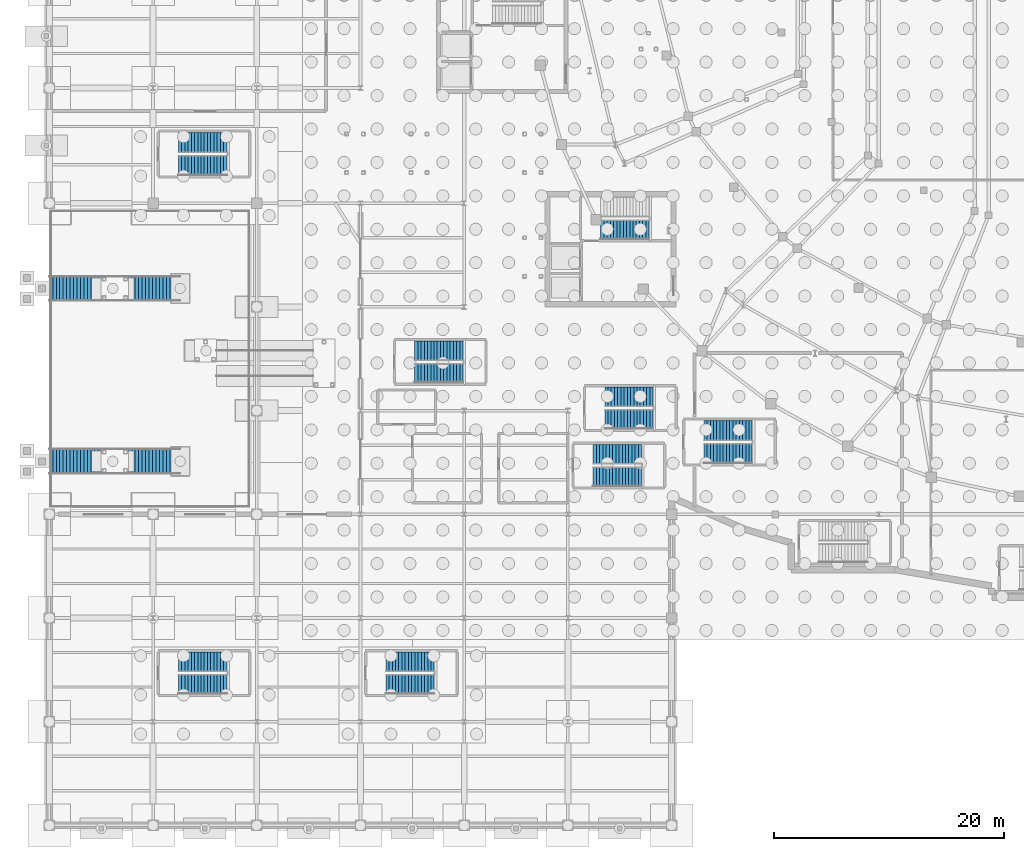
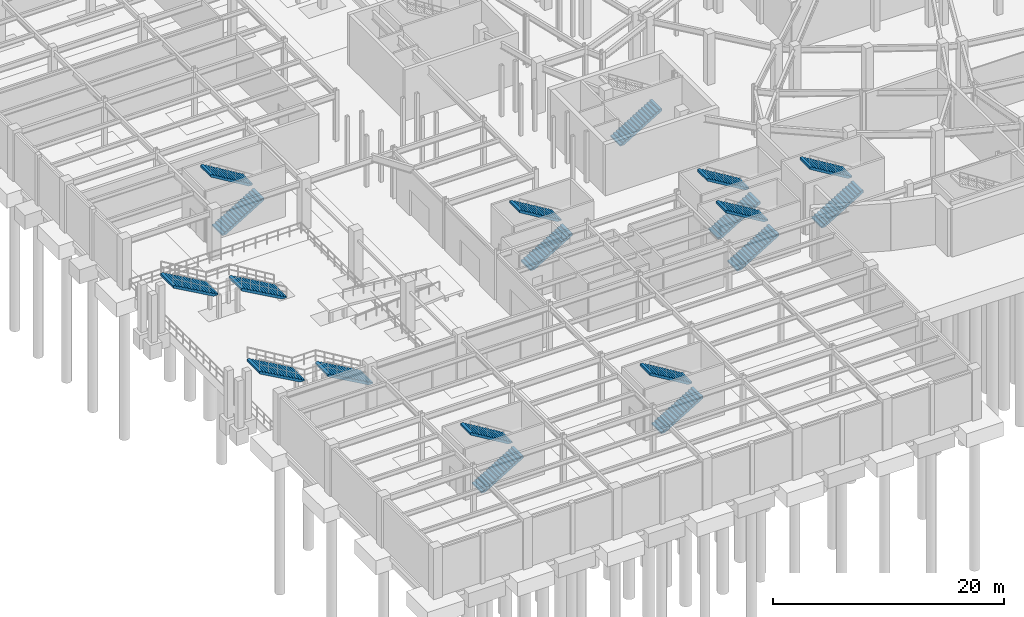
# One storey, part 49 of 56: 19 stair flights, 10 elements without a shape of their own.
"""IFC4 building model written with IfcOpenShell, lengths in metres."""

from ifc_helpers import new_model, si_unit, direction, frame, origin, place, context, subcontext, project, spatial, polyline, outline, extrude, material, type_object, element, aggregate, save


model = new_model("IFC4")

# Units and contexts
model_context = context("Model", 3, precision=1e-05, world=origin(), true_north=direction((0.0, 1.0)))
body_context = subcontext(model_context, "Body", "Model", "MODEL_VIEW")
ifc_project = project(units=[si_unit("LENGTHUNIT", "METRE"), si_unit("AREAUNIT", "SQUARE_METRE"), si_unit("VOLUMEUNIT", "CUBIC_METRE"), si_unit("PLANEANGLEUNIT", "RADIAN"), si_unit("MASSUNIT", "GRAM", prefix="KILO")], contexts=[model_context])

# Site, building, storey
site_placement = place(None, origin())
site = spatial("IfcSite", under=ifc_project, at=site_placement, CompositionType="ELEMENT")
building_placement = place(site_placement, origin())
building = spatial("IfcBuilding", under=site, at=building_placement, Name="Glasvene Arena", CompositionType="ELEMENT")
storey_placement = place(building_placement, frame((0.0, 0.0, -5.39990234375)))
storey = spatial("IfcBuildingStorey", under=building, at=storey_placement, Name="B1", CompositionType="ELEMENT", Elevation=-5.39990234375)

# Stair, stair flight
ifc_material_1 = material(Name="Concrete C40/50", Category="concrete")
stair_type_1 = type_object("IfcStairType", Name="ST-HT-540-170", PredefinedType="HALF_TURN_STAIR", material=ifc_material_1)
stair_1_placement = place(storey_placement, origin())
stair_1 = element("IfcStair", 1, at=stair_1_placement, inside=storey, type_object=stair_type_1, Name="Protected escape stair ST-03 (B1 to L00)", PredefinedType="HALF_TURN_STAIR")
stair_flight_type_1 = type_object("IfcStairFlightType", Name="SF-HT-540-170", PredefinedType="STRAIGHT", material=ifc_material_1)
stair_flight_1_placement = place(storey_placement, frame((47.85009765625, 51.699951171875, 0.0), z_axis=(0.0, 0.0, 1.0), x_axis=(1.0, 0.0, 0.0)))
stair_flight_1 = element("IfcStairFlight", 2, at=stair_flight_1_placement, type_object=stair_flight_type_1, Name="Protected escape stair ST-03 (B1 to L00) flight 1", NumberOfRisers=16, NumberOfTreads=15, PredefinedType="STRAIGHT", RiserHeight=0.16875, TreadLength=0.28, context=body_context, shape_type="SweptSolid", body=[
    extrude(outline(polyline([(0.0, 0.0), (0.0, 0.168701171875), (0.280029296875, 0.168701171875), (0.280029296875, 0.33740234375), (0.56005859375, 0.33740234375), (0.56005859375, 0.50634765625), (0.840087890625, 0.50634765625), (0.840087890625, 0.675048828125), (1.1201171875, 0.675048828125), (1.1201171875, 0.84375), (1.39990234375, 0.84375), (1.39990234375, 1.012451171875), (1.679931640625, 1.012451171875), (1.679931640625, 1.18115234375), (1.9599609375, 1.18115234375), (1.9599609375, 1.35009765625), (2.239990234375, 1.35009765625), (2.239990234375, 1.518798828125), (2.52001953125, 1.518798828125), (2.52001953125, 1.6875), (2.800048828125, 1.6875), (2.800048828125, 1.856201171875), (3.080078125, 1.856201171875), (3.080078125, 2.02490234375), (3.360107421875, 2.02490234375), (3.360107421875, 2.19384765625), (3.639892578125, 2.19384765625), (3.639892578125, 2.362548828125), (3.919921875, 2.362548828125), (3.919921875, 2.53125), (4.199951171875, 2.53125), (4.199951171875, 2.699951171875), (4.199951171875, 2.2978515625), (0.387451171875, 0.0), (0.0, 0.0)])), frame((0.0, 0.85009765625, 0.0), z_axis=(0.0, -1.0, 0.0), x_axis=(1.0, 0.0, 0.0)), (0.0, 0.0, 1.0), 1.699951171875),
])
aggregate(stair_1, [stair_flight_1])

# Stair, stair flights
stair_2_placement = place(storey_placement, origin())
stair_2 = element("IfcStair", 3, at=stair_2_placement, inside=storey, type_object=stair_type_1, Name="Protected escape stair ST-05 (B1 to L00)", PredefinedType="HALF_TURN_STAIR")
stair_flight_2_placement = place(storey_placement, frame((48.199951171875, 35.25, 0.0), z_axis=(0.0, 0.0, 1.0), x_axis=(1.0, 0.0, 0.0)))
stair_flight_2 = element("IfcStairFlight", 4, at=stair_flight_2_placement, type_object=stair_flight_type_1, Name="Protected escape stair ST-05 (B1 to L00) flight 1", NumberOfRisers=16, NumberOfTreads=15, PredefinedType="STRAIGHT", RiserHeight=0.16875, TreadLength=0.28, context=body_context, shape_type="SweptSolid", body=[
    extrude(outline(polyline([(0.0, 0.0), (0.0, 0.168701171875), (0.280029296875, 0.168701171875), (0.280029296875, 0.33740234375), (0.56005859375, 0.33740234375), (0.56005859375, 0.50634765625), (0.840087890625, 0.50634765625), (0.840087890625, 0.675048828125), (1.1201171875, 0.675048828125), (1.1201171875, 0.84375), (1.39990234375, 0.84375), (1.39990234375, 1.012451171875), (1.679931640625, 1.012451171875), (1.679931640625, 1.18115234375), (1.9599609375, 1.18115234375), (1.9599609375, 1.35009765625), (2.239990234375, 1.35009765625), (2.239990234375, 1.518798828125), (2.52001953125, 1.518798828125), (2.52001953125, 1.6875), (2.800048828125, 1.6875), (2.800048828125, 1.856201171875), (3.080078125, 1.856201171875), (3.080078125, 2.02490234375), (3.360107421875, 2.02490234375), (3.360107421875, 2.19384765625), (3.639892578125, 2.19384765625), (3.639892578125, 2.362548828125), (3.919921875, 2.362548828125), (3.919921875, 2.53125), (4.199951171875, 2.53125), (4.199951171875, 2.699951171875), (4.199951171875, 2.2978515625), (0.387451171875, 0.0), (0.0, 0.0)])), frame((0.0, 0.85009765625, 0.0), z_axis=(0.0, -1.0, 0.0), x_axis=(1.0, 0.0, 0.0)), (0.0, 0.0, 1.0), 1.699951171875),
])
stair_flight_3_placement = place(storey_placement, frame((52.39990234375, 37.199951171875, 2.699951171875), z_axis=(0.0, 0.0, 1.0), x_axis=(-1.0, 0.0, 0.0)))
stair_flight_3 = element("IfcStairFlight", 5, at=stair_flight_3_placement, type_object=stair_flight_type_1, Name="Protected escape stair ST-05 (B1 to L00) flight 2", NumberOfRisers=16, NumberOfTreads=15, PredefinedType="STRAIGHT", RiserHeight=0.16875, TreadLength=0.28, context=body_context, shape_type="SweptSolid", body=[
    extrude(outline(polyline([(0.0, 0.0), (0.0, 0.168701171875), (0.280029296875, 0.168701171875), (0.280029296875, 0.33740234375), (0.56005859375, 0.33740234375), (0.56005859375, 0.50634765625), (0.840087890625, 0.50634765625), (0.840087890625, 0.675048828125), (1.1201171875, 0.675048828125), (1.1201171875, 0.84375), (1.39990234375, 0.84375), (1.39990234375, 1.012451171875), (1.679931640625, 1.012451171875), (1.679931640625, 1.18115234375), (1.9599609375, 1.18115234375), (1.9599609375, 1.35009765625), (2.239990234375, 1.35009765625), (2.239990234375, 1.518798828125), (2.52001953125, 1.518798828125), (2.52001953125, 1.6875), (2.800048828125, 1.6875), (2.800048828125, 1.856201171875), (3.080078125, 1.856201171875), (3.080078125, 2.02490234375), (3.360107421875, 2.02490234375), (3.360107421875, 2.19384765625), (3.639892578125, 2.19384765625), (3.639892578125, 2.362548828125), (3.919921875, 2.362548828125), (3.919921875, 2.53125), (4.199951171875, 2.53125), (4.199951171875, 2.699951171875), (4.199951171875, 2.2978515625), (0.387451171875, 0.0), (0.0, 0.0)])), frame((0.0, 0.85009765625, 0.0), z_axis=(0.0, -1.0, 0.0), x_axis=(1.0, 0.0, 0.0)), (0.0, 0.0, 1.0), 1.699951171875),
])
aggregate(stair_2, [stair_flight_2, stair_flight_3])

stair_3_placement = place(storey_placement, origin())
stair_3 = element("IfcStair", 6, at=stair_3_placement, inside=storey, type_object=stair_type_1, Name="Protected escape stair ST-15 (B1 to L00)", PredefinedType="HALF_TURN_STAIR")
stair_flight_4_placement = place(storey_placement, frame((31.699951171875, 39.25, 0.0), z_axis=(0.0, 0.0, 1.0), x_axis=(1.0, 0.0, 0.0)))
stair_flight_4 = element("IfcStairFlight", 7, at=stair_flight_4_placement, type_object=stair_flight_type_1, Name="Protected escape stair ST-15 (B1 to L00) flight 1", NumberOfRisers=16, NumberOfTreads=15, PredefinedType="STRAIGHT", RiserHeight=0.16875, TreadLength=0.28, context=body_context, shape_type="SweptSolid", body=[
    extrude(outline(polyline([(0.0, 0.0), (0.0, 0.168701171875), (0.280029296875, 0.168701171875), (0.280029296875, 0.33740234375), (0.56005859375, 0.33740234375), (0.56005859375, 0.50634765625), (0.840087890625, 0.50634765625), (0.840087890625, 0.675048828125), (1.1201171875, 0.675048828125), (1.1201171875, 0.84375), (1.39990234375, 0.84375), (1.39990234375, 1.012451171875), (1.679931640625, 1.012451171875), (1.679931640625, 1.18115234375), (1.9599609375, 1.18115234375), (1.9599609375, 1.35009765625), (2.239990234375, 1.35009765625), (2.239990234375, 1.518798828125), (2.52001953125, 1.518798828125), (2.52001953125, 1.6875), (2.800048828125, 1.6875), (2.800048828125, 1.856201171875), (3.080078125, 1.856201171875), (3.080078125, 2.02490234375), (3.360107421875, 2.02490234375), (3.360107421875, 2.19384765625), (3.639892578125, 2.19384765625), (3.639892578125, 2.362548828125), (3.919921875, 2.362548828125), (3.919921875, 2.53125), (4.199951171875, 2.53125), (4.199951171875, 2.699951171875), (4.199951171875, 2.2978515625), (0.387451171875, 0.0), (0.0, 0.0)])), frame((0.0, 0.85009765625, 0.0), z_axis=(0.0, -1.0, 0.0), x_axis=(1.0, 0.0, 0.0)), (0.0, 0.0, 1.0), 1.699951171875),
])
stair_flight_5_placement = place(storey_placement, frame((35.89990234375, 41.199951171875, 2.699951171875), z_axis=(0.0, 0.0, 1.0), x_axis=(-1.0, 0.0, 0.0)))
stair_flight_5 = element("IfcStairFlight", 8, at=stair_flight_5_placement, type_object=stair_flight_type_1, Name="Protected escape stair ST-15 (B1 to L00) flight 2", NumberOfRisers=16, NumberOfTreads=15, PredefinedType="STRAIGHT", RiserHeight=0.16875, TreadLength=0.28, context=body_context, shape_type="SweptSolid", body=[
    extrude(outline(polyline([(0.0, 0.0), (0.0, 0.168701171875), (0.280029296875, 0.168701171875), (0.280029296875, 0.33740234375), (0.56005859375, 0.33740234375), (0.56005859375, 0.50634765625), (0.840087890625, 0.50634765625), (0.840087890625, 0.675048828125), (1.1201171875, 0.675048828125), (1.1201171875, 0.84375), (1.39990234375, 0.84375), (1.39990234375, 1.012451171875), (1.679931640625, 1.012451171875), (1.679931640625, 1.18115234375), (1.9599609375, 1.18115234375), (1.9599609375, 1.35009765625), (2.239990234375, 1.35009765625), (2.239990234375, 1.518798828125), (2.52001953125, 1.518798828125), (2.52001953125, 1.6875), (2.800048828125, 1.6875), (2.800048828125, 1.856201171875), (3.080078125, 1.856201171875), (3.080078125, 2.02490234375), (3.360107421875, 2.02490234375), (3.360107421875, 2.19384765625), (3.639892578125, 2.19384765625), (3.639892578125, 2.362548828125), (3.919921875, 2.362548828125), (3.919921875, 2.53125), (4.199951171875, 2.53125), (4.199951171875, 2.699951171875), (4.199951171875, 2.2978515625), (0.387451171875, 0.0), (0.0, 0.0)])), frame((0.0, 0.85009765625, 0.0), z_axis=(0.0, -1.0, 0.0), x_axis=(1.0, 0.0, 0.0)), (0.0, 0.0, 1.0), 1.699951171875),
])
aggregate(stair_3, [stair_flight_4, stair_flight_5])

stair_4_placement = place(storey_placement, origin())
stair_4 = element("IfcStair", 9, at=stair_4_placement, inside=storey, type_object=stair_type_1, Name="Protected escape stair ST-16 (B1 to L00)", PredefinedType="HALF_TURN_STAIR")
stair_flight_6_placement = place(storey_placement, frame((47.199951171875, 30.25, 0.0), z_axis=(0.0, 0.0, 1.0), x_axis=(1.0, 0.0, 0.0)))
stair_flight_6 = element("IfcStairFlight", 10, at=stair_flight_6_placement, type_object=stair_flight_type_1, Name="Protected escape stair ST-16 (B1 to L00) flight 1", NumberOfRisers=16, NumberOfTreads=15, PredefinedType="STRAIGHT", RiserHeight=0.16875, TreadLength=0.28, context=body_context, shape_type="SweptSolid", body=[
    extrude(outline(polyline([(0.0, 0.0), (0.0, 0.168701171875), (0.280029296875, 0.168701171875), (0.280029296875, 0.33740234375), (0.56005859375, 0.33740234375), (0.56005859375, 0.50634765625), (0.840087890625, 0.50634765625), (0.840087890625, 0.675048828125), (1.1201171875, 0.675048828125), (1.1201171875, 0.84375), (1.39990234375, 0.84375), (1.39990234375, 1.012451171875), (1.679931640625, 1.012451171875), (1.679931640625, 1.18115234375), (1.9599609375, 1.18115234375), (1.9599609375, 1.35009765625), (2.239990234375, 1.35009765625), (2.239990234375, 1.518798828125), (2.52001953125, 1.518798828125), (2.52001953125, 1.6875), (2.800048828125, 1.6875), (2.800048828125, 1.856201171875), (3.080078125, 1.856201171875), (3.080078125, 2.02490234375), (3.360107421875, 2.02490234375), (3.360107421875, 2.19384765625), (3.639892578125, 2.19384765625), (3.639892578125, 2.362548828125), (3.919921875, 2.362548828125), (3.919921875, 2.53125), (4.199951171875, 2.53125), (4.199951171875, 2.699951171875), (4.199951171875, 2.2978515625), (0.387451171875, 0.0), (0.0, 0.0)])), frame((0.0, 0.85009765625, 0.0), z_axis=(0.0, -1.0, 0.0), x_axis=(1.0, 0.0, 0.0)), (0.0, 0.0, 1.0), 1.699951171875),
])
stair_flight_7_placement = place(storey_placement, frame((51.39990234375, 32.199951171875, 2.699951171875), z_axis=(0.0, 0.0, 1.0), x_axis=(-1.0, 0.0, 0.0)))
stair_flight_7 = element("IfcStairFlight", 11, at=stair_flight_7_placement, type_object=stair_flight_type_1, Name="Protected escape stair ST-16 (B1 to L00) flight 2", NumberOfRisers=16, NumberOfTreads=15, PredefinedType="STRAIGHT", RiserHeight=0.16875, TreadLength=0.28, context=body_context, shape_type="SweptSolid", body=[
    extrude(outline(polyline([(0.0, 0.0), (0.0, 0.168701171875), (0.280029296875, 0.168701171875), (0.280029296875, 0.33740234375), (0.56005859375, 0.33740234375), (0.56005859375, 0.50634765625), (0.840087890625, 0.50634765625), (0.840087890625, 0.675048828125), (1.1201171875, 0.675048828125), (1.1201171875, 0.84375), (1.39990234375, 0.84375), (1.39990234375, 1.012451171875), (1.679931640625, 1.012451171875), (1.679931640625, 1.18115234375), (1.9599609375, 1.18115234375), (1.9599609375, 1.35009765625), (2.239990234375, 1.35009765625), (2.239990234375, 1.518798828125), (2.52001953125, 1.518798828125), (2.52001953125, 1.6875), (2.800048828125, 1.6875), (2.800048828125, 1.856201171875), (3.080078125, 1.856201171875), (3.080078125, 2.02490234375), (3.360107421875, 2.02490234375), (3.360107421875, 2.19384765625), (3.639892578125, 2.19384765625), (3.639892578125, 2.362548828125), (3.919921875, 2.362548828125), (3.919921875, 2.53125), (4.199951171875, 2.53125), (4.199951171875, 2.699951171875), (4.199951171875, 2.2978515625), (0.387451171875, 0.0), (0.0, 0.0)])), frame((0.0, 0.85009765625, 0.0), z_axis=(0.0, -1.0, 0.0), x_axis=(1.0, 0.0, 0.0)), (0.0, 0.0, 1.0), 1.699951171875),
])
aggregate(stair_4, [stair_flight_6, stair_flight_7])

stair_5_placement = place(storey_placement, origin())
stair_5 = element("IfcStair", 12, at=stair_5_placement, inside=storey, type_object=stair_type_1, Name="Protected escape stair ST-B02 (B1 to L00)", PredefinedType="HALF_TURN_STAIR")
stair_flight_8_placement = place(storey_placement, frame((11.199951171875, 12.25, 0.0), z_axis=(0.0, 0.0, 1.0), x_axis=(1.0, 0.0, 0.0)))
stair_flight_8 = element("IfcStairFlight", 13, at=stair_flight_8_placement, type_object=stair_flight_type_1, Name="Protected escape stair ST-B02 (B1 to L00) flight 1", NumberOfRisers=16, NumberOfTreads=15, PredefinedType="STRAIGHT", RiserHeight=0.16875, TreadLength=0.28, context=body_context, shape_type="SweptSolid", body=[
    extrude(outline(polyline([(0.0, 0.0), (0.0, 0.168701171875), (0.280029296875, 0.168701171875), (0.280029296875, 0.33740234375), (0.56005859375, 0.33740234375), (0.56005859375, 0.50634765625), (0.840087890625, 0.50634765625), (0.840087890625, 0.675048828125), (1.1201171875, 0.675048828125), (1.1201171875, 0.84375), (1.39990234375, 0.84375), (1.39990234375, 1.012451171875), (1.679931640625, 1.012451171875), (1.679931640625, 1.18115234375), (1.9599609375, 1.18115234375), (1.9599609375, 1.35009765625), (2.239990234375, 1.35009765625), (2.239990234375, 1.518798828125), (2.52001953125, 1.518798828125), (2.52001953125, 1.6875), (2.800048828125, 1.6875), (2.800048828125, 1.856201171875), (3.080078125, 1.856201171875), (3.080078125, 2.02490234375), (3.360107421875, 2.02490234375), (3.360107421875, 2.19384765625), (3.639892578125, 2.19384765625), (3.639892578125, 2.362548828125), (3.919921875, 2.362548828125), (3.919921875, 2.53125), (4.199951171875, 2.53125), (4.199951171875, 2.699951171875), (4.199951171875, 2.2978515625), (0.387451171875, 0.0), (0.0, 0.0)])), frame((0.0, 0.85009765625, 0.0), z_axis=(0.0, -1.0, 0.0), x_axis=(1.0, 0.0, 0.0)), (0.0, 0.0, 1.0), 1.699951171875),
])
stair_flight_9_placement = place(storey_placement, frame((15.39990234375, 14.199951171875, 2.699951171875), z_axis=(0.0, 0.0, 1.0), x_axis=(-1.0, 0.0, 0.0)))
stair_flight_9 = element("IfcStairFlight", 14, at=stair_flight_9_placement, type_object=stair_flight_type_1, Name="Protected escape stair ST-B02 (B1 to L00) flight 2", NumberOfRisers=16, NumberOfTreads=15, PredefinedType="STRAIGHT", RiserHeight=0.16875, TreadLength=0.28, context=body_context, shape_type="SweptSolid", body=[
    extrude(outline(polyline([(0.0, 0.0), (0.0, 0.168701171875), (0.280029296875, 0.168701171875), (0.280029296875, 0.33740234375), (0.56005859375, 0.33740234375), (0.56005859375, 0.50634765625), (0.840087890625, 0.50634765625), (0.840087890625, 0.675048828125), (1.1201171875, 0.675048828125), (1.1201171875, 0.84375), (1.39990234375, 0.84375), (1.39990234375, 1.012451171875), (1.679931640625, 1.012451171875), (1.679931640625, 1.18115234375), (1.9599609375, 1.18115234375), (1.9599609375, 1.35009765625), (2.239990234375, 1.35009765625), (2.239990234375, 1.518798828125), (2.52001953125, 1.518798828125), (2.52001953125, 1.6875), (2.800048828125, 1.6875), (2.800048828125, 1.856201171875), (3.080078125, 1.856201171875), (3.080078125, 2.02490234375), (3.360107421875, 2.02490234375), (3.360107421875, 2.19384765625), (3.639892578125, 2.19384765625), (3.639892578125, 2.362548828125), (3.919921875, 2.362548828125), (3.919921875, 2.53125), (4.199951171875, 2.53125), (4.199951171875, 2.699951171875), (4.199951171875, 2.2978515625), (0.387451171875, 0.0), (0.0, 0.0)])), frame((0.0, 0.85009765625, 0.0), z_axis=(0.0, -1.0, 0.0), x_axis=(1.0, 0.0, 0.0)), (0.0, 0.0, 1.0), 1.699951171875),
])
aggregate(stair_5, [stair_flight_8, stair_flight_9])

stair_6_placement = place(storey_placement, origin())
stair_6 = element("IfcStair", 15, at=stair_6_placement, inside=storey, type_object=stair_type_1, Name="Protected escape stair ST-B03 (B1 to L00)", PredefinedType="HALF_TURN_STAIR")
stair_flight_10_placement = place(storey_placement, frame((29.199951171875, 12.25, 0.0), z_axis=(0.0, 0.0, 1.0), x_axis=(1.0, 0.0, 0.0)))
stair_flight_10 = element("IfcStairFlight", 16, at=stair_flight_10_placement, type_object=stair_flight_type_1, Name="Protected escape stair ST-B03 (B1 to L00) flight 1", NumberOfRisers=16, NumberOfTreads=15, PredefinedType="STRAIGHT", RiserHeight=0.16875, TreadLength=0.28, context=body_context, shape_type="SweptSolid", body=[
    extrude(outline(polyline([(0.0, 0.0), (0.0, 0.168701171875), (0.280029296875, 0.168701171875), (0.280029296875, 0.33740234375), (0.56005859375, 0.33740234375), (0.56005859375, 0.50634765625), (0.840087890625, 0.50634765625), (0.840087890625, 0.675048828125), (1.1201171875, 0.675048828125), (1.1201171875, 0.84375), (1.39990234375, 0.84375), (1.39990234375, 1.012451171875), (1.679931640625, 1.012451171875), (1.679931640625, 1.18115234375), (1.9599609375, 1.18115234375), (1.9599609375, 1.35009765625), (2.239990234375, 1.35009765625), (2.239990234375, 1.518798828125), (2.52001953125, 1.518798828125), (2.52001953125, 1.6875), (2.800048828125, 1.6875), (2.800048828125, 1.856201171875), (3.080078125, 1.856201171875), (3.080078125, 2.02490234375), (3.360107421875, 2.02490234375), (3.360107421875, 2.19384765625), (3.639892578125, 2.19384765625), (3.639892578125, 2.362548828125), (3.919921875, 2.362548828125), (3.919921875, 2.53125), (4.199951171875, 2.53125), (4.199951171875, 2.699951171875), (4.199951171875, 2.2978515625), (0.387451171875, 0.0), (0.0, 0.0)])), frame((0.0, 0.85009765625, 0.0), z_axis=(0.0, -1.0, 0.0), x_axis=(1.0, 0.0, 0.0)), (0.0, 0.0, 1.0), 1.699951171875),
])
stair_flight_11_placement = place(storey_placement, frame((33.39990234375, 14.199951171875, 2.699951171875), z_axis=(0.0, 0.0, 1.0), x_axis=(-1.0, 0.0, 0.0)))
stair_flight_11 = element("IfcStairFlight", 17, at=stair_flight_11_placement, type_object=stair_flight_type_1, Name="Protected escape stair ST-B03 (B1 to L00) flight 2", NumberOfRisers=16, NumberOfTreads=15, PredefinedType="STRAIGHT", RiserHeight=0.16875, TreadLength=0.28, context=body_context, shape_type="SweptSolid", body=[
    extrude(outline(polyline([(0.0, 0.0), (0.0, 0.168701171875), (0.280029296875, 0.168701171875), (0.280029296875, 0.33740234375), (0.56005859375, 0.33740234375), (0.56005859375, 0.50634765625), (0.840087890625, 0.50634765625), (0.840087890625, 0.675048828125), (1.1201171875, 0.675048828125), (1.1201171875, 0.84375), (1.39990234375, 0.84375), (1.39990234375, 1.012451171875), (1.679931640625, 1.012451171875), (1.679931640625, 1.18115234375), (1.9599609375, 1.18115234375), (1.9599609375, 1.35009765625), (2.239990234375, 1.35009765625), (2.239990234375, 1.518798828125), (2.52001953125, 1.518798828125), (2.52001953125, 1.6875), (2.800048828125, 1.6875), (2.800048828125, 1.856201171875), (3.080078125, 1.856201171875), (3.080078125, 2.02490234375), (3.360107421875, 2.02490234375), (3.360107421875, 2.19384765625), (3.639892578125, 2.19384765625), (3.639892578125, 2.362548828125), (3.919921875, 2.362548828125), (3.919921875, 2.53125), (4.199951171875, 2.53125), (4.199951171875, 2.699951171875), (4.199951171875, 2.2978515625), (0.387451171875, 0.0), (0.0, 0.0)])), frame((0.0, 0.85009765625, 0.0), z_axis=(0.0, -1.0, 0.0), x_axis=(1.0, 0.0, 0.0)), (0.0, 0.0, 1.0), 1.699951171875),
])
aggregate(stair_6, [stair_flight_10, stair_flight_11])

stair_type_2 = type_object("IfcStairType", Name="ST-HT-540-175", PredefinedType="HALF_TURN_STAIR", material=ifc_material_1)
stair_7_placement = place(storey_placement, origin())
stair_7 = element("IfcStair", 18, at=stair_7_placement, inside=storey, type_object=stair_type_2, Name="Protected escape stair ST-13 (B1 to L00)", PredefinedType="HALF_TURN_STAIR")
stair_flight_type_2 = type_object("IfcStairFlightType", Name="SF-HT-540-175", PredefinedType="STRAIGHT", material=ifc_material_1)
stair_flight_12_placement = place(storey_placement, frame((11.199951171875, 57.27490234375, 0.0), z_axis=(0.0, 0.0, 1.0), x_axis=(1.0, 0.0, 0.0)))
stair_flight_12 = element("IfcStairFlight", 19, at=stair_flight_12_placement, type_object=stair_flight_type_2, Name="Protected escape stair ST-13 (B1 to L00) flight 1", NumberOfRisers=16, NumberOfTreads=15, PredefinedType="STRAIGHT", RiserHeight=0.16875, TreadLength=0.28, context=body_context, shape_type="SweptSolid", body=[
    extrude(outline(polyline([(0.0, 0.0), (0.0, 0.168701171875), (0.280029296875, 0.168701171875), (0.280029296875, 0.33740234375), (0.56005859375, 0.33740234375), (0.56005859375, 0.50634765625), (0.840087890625, 0.50634765625), (0.840087890625, 0.675048828125), (1.1201171875, 0.675048828125), (1.1201171875, 0.84375), (1.39990234375, 0.84375), (1.39990234375, 1.012451171875), (1.679931640625, 1.012451171875), (1.679931640625, 1.18115234375), (1.9599609375, 1.18115234375), (1.9599609375, 1.35009765625), (2.239990234375, 1.35009765625), (2.239990234375, 1.518798828125), (2.52001953125, 1.518798828125), (2.52001953125, 1.6875), (2.800048828125, 1.6875), (2.800048828125, 1.856201171875), (3.080078125, 1.856201171875), (3.080078125, 2.02490234375), (3.360107421875, 2.02490234375), (3.360107421875, 2.19384765625), (3.639892578125, 2.19384765625), (3.639892578125, 2.362548828125), (3.919921875, 2.362548828125), (3.919921875, 2.53125), (4.199951171875, 2.53125), (4.199951171875, 2.699951171875), (4.199951171875, 2.2978515625), (0.387451171875, 0.0), (0.0, 0.0)])), frame((0.0, 0.875, 0.0), z_axis=(0.0, -1.0, 0.0), x_axis=(1.0, 0.0, 0.0)), (0.0, 0.0, 1.0), 1.75),
])
stair_flight_13_placement = place(storey_placement, frame((15.39990234375, 59.27490234375, 2.699951171875), z_axis=(0.0, 0.0, 1.0), x_axis=(-1.0, 0.0, 0.0)))
stair_flight_13 = element("IfcStairFlight", 20, at=stair_flight_13_placement, type_object=stair_flight_type_2, Name="Protected escape stair ST-13 (B1 to L00) flight 2", NumberOfRisers=16, NumberOfTreads=15, PredefinedType="STRAIGHT", RiserHeight=0.16875, TreadLength=0.28, context=body_context, shape_type="SweptSolid", body=[
    extrude(outline(polyline([(0.0, 0.0), (0.0, 0.168701171875), (0.280029296875, 0.168701171875), (0.280029296875, 0.33740234375), (0.56005859375, 0.33740234375), (0.56005859375, 0.50634765625), (0.840087890625, 0.50634765625), (0.840087890625, 0.675048828125), (1.1201171875, 0.675048828125), (1.1201171875, 0.84375), (1.39990234375, 0.84375), (1.39990234375, 1.012451171875), (1.679931640625, 1.012451171875), (1.679931640625, 1.18115234375), (1.9599609375, 1.18115234375), (1.9599609375, 1.35009765625), (2.239990234375, 1.35009765625), (2.239990234375, 1.518798828125), (2.52001953125, 1.518798828125), (2.52001953125, 1.6875), (2.800048828125, 1.6875), (2.800048828125, 1.856201171875), (3.080078125, 1.856201171875), (3.080078125, 2.02490234375), (3.360107421875, 2.02490234375), (3.360107421875, 2.19384765625), (3.639892578125, 2.19384765625), (3.639892578125, 2.362548828125), (3.919921875, 2.362548828125), (3.919921875, 2.53125), (4.199951171875, 2.53125), (4.199951171875, 2.699951171875), (4.199951171875, 2.2978515625), (0.387451171875, 0.0), (0.0, 0.0)])), frame((0.0, 0.875, 0.0), z_axis=(0.0, -1.0, 0.0), x_axis=(1.0, 0.0, 0.0)), (0.0, 0.0, 1.0), 1.75),
])
aggregate(stair_7, [stair_flight_12, stair_flight_13])

stair_8_placement = place(storey_placement, origin())
stair_8 = element("IfcStair", 21, at=stair_8_placement, inside=storey, type_object=stair_type_2, Name="Protected escape stair ST-B06 (B1 to L00)", PredefinedType="HALF_TURN_STAIR")
stair_flight_14_placement = place(storey_placement, frame((56.800048828125, 32.27490234375, 0.0), z_axis=(0.0, 0.0, 1.0), x_axis=(1.0, 0.0, 0.0)))
stair_flight_14 = element("IfcStairFlight", 22, at=stair_flight_14_placement, type_object=stair_flight_type_2, Name="Protected escape stair ST-B06 (B1 to L00) flight 1", NumberOfRisers=16, NumberOfTreads=15, PredefinedType="STRAIGHT", RiserHeight=0.16875, TreadLength=0.28, context=body_context, shape_type="SweptSolid", body=[
    extrude(outline(polyline([(0.0, 0.0), (0.0, 0.168701171875), (0.280029296875, 0.168701171875), (0.280029296875, 0.33740234375), (0.56005859375, 0.33740234375), (0.56005859375, 0.50634765625), (0.840087890625, 0.50634765625), (0.840087890625, 0.675048828125), (1.1201171875, 0.675048828125), (1.1201171875, 0.84375), (1.39990234375, 0.84375), (1.39990234375, 1.012451171875), (1.679931640625, 1.012451171875), (1.679931640625, 1.18115234375), (1.9599609375, 1.18115234375), (1.9599609375, 1.35009765625), (2.239990234375, 1.35009765625), (2.239990234375, 1.518798828125), (2.52001953125, 1.518798828125), (2.52001953125, 1.6875), (2.800048828125, 1.6875), (2.800048828125, 1.856201171875), (3.080078125, 1.856201171875), (3.080078125, 2.02490234375), (3.360107421875, 2.02490234375), (3.360107421875, 2.19384765625), (3.639892578125, 2.19384765625), (3.639892578125, 2.362548828125), (3.919921875, 2.362548828125), (3.919921875, 2.53125), (4.199951171875, 2.53125), (4.199951171875, 2.699951171875), (4.199951171875, 2.2978515625), (0.387451171875, 0.0), (0.0, 0.0)])), frame((0.0, 0.875, 0.0), z_axis=(0.0, -1.0, 0.0), x_axis=(1.0, 0.0, 0.0)), (0.0, 0.0, 1.0), 1.75),
])
stair_flight_15_placement = place(storey_placement, frame((61.0, 34.27490234375, 2.699951171875), z_axis=(0.0, 0.0, 1.0), x_axis=(-1.0, 0.0, 0.0)))
stair_flight_15 = element("IfcStairFlight", 23, at=stair_flight_15_placement, type_object=stair_flight_type_2, Name="Protected escape stair ST-B06 (B1 to L00) flight 2", NumberOfRisers=16, NumberOfTreads=15, PredefinedType="STRAIGHT", RiserHeight=0.16875, TreadLength=0.28, context=body_context, shape_type="SweptSolid", body=[
    extrude(outline(polyline([(0.0, 0.0), (0.0, 0.168701171875), (0.280029296875, 0.168701171875), (0.280029296875, 0.33740234375), (0.56005859375, 0.33740234375), (0.56005859375, 0.50634765625), (0.840087890625, 0.50634765625), (0.840087890625, 0.675048828125), (1.1201171875, 0.675048828125), (1.1201171875, 0.84375), (1.39990234375, 0.84375), (1.39990234375, 1.012451171875), (1.679931640625, 1.012451171875), (1.679931640625, 1.18115234375), (1.9599609375, 1.18115234375), (1.9599609375, 1.35009765625), (2.239990234375, 1.35009765625), (2.239990234375, 1.518798828125), (2.52001953125, 1.518798828125), (2.52001953125, 1.6875), (2.800048828125, 1.6875), (2.800048828125, 1.856201171875), (3.080078125, 1.856201171875), (3.080078125, 2.02490234375), (3.360107421875, 2.02490234375), (3.360107421875, 2.19384765625), (3.639892578125, 2.19384765625), (3.639892578125, 2.362548828125), (3.919921875, 2.362548828125), (3.919921875, 2.53125), (4.199951171875, 2.53125), (4.199951171875, 2.699951171875), (4.199951171875, 2.2978515625), (0.387451171875, 0.0), (0.0, 0.0)])), frame((0.0, 0.875, 0.0), z_axis=(0.0, -1.0, 0.0), x_axis=(1.0, 0.0, 0.0)), (0.0, 0.0, 1.0), 1.75),
])
aggregate(stair_8, [stair_flight_14, stair_flight_15])

ifc_material_2 = material(Name="Precast concrete C50/60", Category="concrete")
stair_type_3 = type_object("IfcStairType", Name="ST-SR-MET-PLZ", PredefinedType="STRAIGHT_RUN_STAIR", material=ifc_material_2)
stair_9_placement = place(storey_placement, origin())
stair_9 = element("IfcStair", 24, at=stair_9_placement, inside=storey, type_object=stair_type_3, Name="Metro forecourt plaza grand stair 1", PredefinedType="STRAIGHT_RUN_STAIR")
stair_flight_type_3 = type_object("IfcStairFlightType", Name="SF-SR-MET-PLZ", PredefinedType="STRAIGHT", material=ifc_material_2)
stair_flight_16_placement = place(storey_placement, frame((11.35009765625, 31.60009765625, 0.0), z_axis=(0.0, 0.0, 1.0), x_axis=(-1.0, 0.0, 0.0)))
stair_flight_16 = element("IfcStairFlight", 25, at=stair_flight_16_placement, type_object=stair_flight_type_3, Name="Metro forecourt plaza grand stair 1 flight 1", NumberOfRisers=16, NumberOfTreads=15, PredefinedType="STRAIGHT", RiserHeight=0.16875, TreadLength=0.3, context=body_context, shape_type="SweptSolid", body=[
    extrude(outline(polyline([(0.0, 0.0), (0.0, 0.168701171875), (0.300048828125, 0.168701171875), (0.300048828125, 0.33740234375), (0.60009765625, 0.33740234375), (0.60009765625, 0.50634765625), (0.89990234375, 0.50634765625), (0.89990234375, 0.675048828125), (1.199951171875, 0.675048828125), (1.199951171875, 0.84375), (1.5, 0.84375), (1.5, 1.012451171875), (1.800048828125, 1.012451171875), (1.800048828125, 1.18115234375), (2.10009765625, 1.18115234375), (2.10009765625, 1.35009765625), (2.39990234375, 1.35009765625), (2.39990234375, 1.518798828125), (2.699951171875, 1.518798828125), (2.699951171875, 1.6875), (3.0, 1.6875), (3.0, 1.856201171875), (3.300048828125, 1.856201171875), (3.300048828125, 2.02490234375), (3.60009765625, 2.02490234375), (3.60009765625, 2.19384765625), (3.89990234375, 2.19384765625), (3.89990234375, 2.362548828125), (4.199951171875, 2.362548828125), (4.199951171875, 2.53125), (4.5, 2.53125), (4.5, 2.699951171875), (4.5, 2.27880859375), (0.44873046875, 0.0), (0.0, 0.0)])), frame((0.0, 1.10009765625, 0.0), z_axis=(0.0, -1.0, 0.0), x_axis=(1.0, 0.0, 0.0)), (0.0, 0.0, 1.0), 2.199951171875),
])
stair_flight_17_placement = place(storey_placement, frame((4.5, 31.60009765625, 2.699951171875), z_axis=(0.0, 0.0, 1.0), x_axis=(-1.0, 0.0, 0.0)))
stair_flight_17 = element("IfcStairFlight", 26, at=stair_flight_17_placement, type_object=stair_flight_type_3, Name="Metro forecourt plaza grand stair 1 flight 2", NumberOfRisers=16, NumberOfTreads=15, PredefinedType="STRAIGHT", RiserHeight=0.16875, TreadLength=0.3, context=body_context, shape_type="SweptSolid", body=[
    extrude(outline(polyline([(0.0, 0.0), (0.0, 0.168701171875), (0.300048828125, 0.168701171875), (0.300048828125, 0.33740234375), (0.60009765625, 0.33740234375), (0.60009765625, 0.50634765625), (0.89990234375, 0.50634765625), (0.89990234375, 0.675048828125), (1.199951171875, 0.675048828125), (1.199951171875, 0.84375), (1.5, 0.84375), (1.5, 1.012451171875), (1.800048828125, 1.012451171875), (1.800048828125, 1.18115234375), (2.10009765625, 1.18115234375), (2.10009765625, 1.35009765625), (2.39990234375, 1.35009765625), (2.39990234375, 1.518798828125), (2.699951171875, 1.518798828125), (2.699951171875, 1.6875), (3.0, 1.6875), (3.0, 1.856201171875), (3.300048828125, 1.856201171875), (3.300048828125, 2.02490234375), (3.60009765625, 2.02490234375), (3.60009765625, 2.19384765625), (3.89990234375, 2.19384765625), (3.89990234375, 2.362548828125), (4.199951171875, 2.362548828125), (4.199951171875, 2.53125), (4.5, 2.53125), (4.5, 2.699951171875), (4.5, 2.27880859375), (0.44873046875, 0.0), (0.0, 0.0)])), frame((0.0, 1.10009765625, 0.0), z_axis=(0.0, -1.0, 0.0), x_axis=(1.0, 0.0, 0.0)), (0.0, 0.0, 1.0), 2.199951171875),
])
aggregate(stair_9, [stair_flight_16, stair_flight_17])

stair_10_placement = place(storey_placement, origin())
stair_10 = element("IfcStair", 27, at=stair_10_placement, inside=storey, type_object=stair_type_3, Name="Metro forecourt plaza grand stair 2", PredefinedType="STRAIGHT_RUN_STAIR")
stair_flight_18_placement = place(storey_placement, frame((11.35009765625, 46.60009765625, 0.0), z_axis=(0.0, 0.0, 1.0), x_axis=(-1.0, 0.0, 0.0)))
stair_flight_18 = element("IfcStairFlight", 28, at=stair_flight_18_placement, type_object=stair_flight_type_3, Name="Metro forecourt plaza grand stair 2 flight 1", NumberOfRisers=16, NumberOfTreads=15, PredefinedType="STRAIGHT", RiserHeight=0.16875, TreadLength=0.3, context=body_context, shape_type="SweptSolid", body=[
    extrude(outline(polyline([(0.0, 0.0), (0.0, 0.168701171875), (0.300048828125, 0.168701171875), (0.300048828125, 0.33740234375), (0.60009765625, 0.33740234375), (0.60009765625, 0.50634765625), (0.89990234375, 0.50634765625), (0.89990234375, 0.675048828125), (1.199951171875, 0.675048828125), (1.199951171875, 0.84375), (1.5, 0.84375), (1.5, 1.012451171875), (1.800048828125, 1.012451171875), (1.800048828125, 1.18115234375), (2.10009765625, 1.18115234375), (2.10009765625, 1.35009765625), (2.39990234375, 1.35009765625), (2.39990234375, 1.518798828125), (2.699951171875, 1.518798828125), (2.699951171875, 1.6875), (3.0, 1.6875), (3.0, 1.856201171875), (3.300048828125, 1.856201171875), (3.300048828125, 2.02490234375), (3.60009765625, 2.02490234375), (3.60009765625, 2.19384765625), (3.89990234375, 2.19384765625), (3.89990234375, 2.362548828125), (4.199951171875, 2.362548828125), (4.199951171875, 2.53125), (4.5, 2.53125), (4.5, 2.699951171875), (4.5, 2.27880859375), (0.44873046875, 0.0), (0.0, 0.0)])), frame((0.0, 1.10009765625, 0.0), z_axis=(0.0, -1.0, 0.0), x_axis=(1.0, 0.0, 0.0)), (0.0, 0.0, 1.0), 2.199951171875),
])
stair_flight_19_placement = place(storey_placement, frame((4.5, 46.60009765625, 2.699951171875), z_axis=(0.0, 0.0, 1.0), x_axis=(-1.0, 0.0, 0.0)))
stair_flight_19 = element("IfcStairFlight", 29, at=stair_flight_19_placement, type_object=stair_flight_type_3, Name="Metro forecourt plaza grand stair 2 flight 2", NumberOfRisers=16, NumberOfTreads=15, PredefinedType="STRAIGHT", RiserHeight=0.16875, TreadLength=0.3, context=body_context, shape_type="SweptSolid", body=[
    extrude(outline(polyline([(0.0, 0.0), (0.0, 0.168701171875), (0.300048828125, 0.168701171875), (0.300048828125, 0.33740234375), (0.60009765625, 0.33740234375), (0.60009765625, 0.50634765625), (0.89990234375, 0.50634765625), (0.89990234375, 0.675048828125), (1.199951171875, 0.675048828125), (1.199951171875, 0.84375), (1.5, 0.84375), (1.5, 1.012451171875), (1.800048828125, 1.012451171875), (1.800048828125, 1.18115234375), (2.10009765625, 1.18115234375), (2.10009765625, 1.35009765625), (2.39990234375, 1.35009765625), (2.39990234375, 1.518798828125), (2.699951171875, 1.518798828125), (2.699951171875, 1.6875), (3.0, 1.6875), (3.0, 1.856201171875), (3.300048828125, 1.856201171875), (3.300048828125, 2.02490234375), (3.60009765625, 2.02490234375), (3.60009765625, 2.19384765625), (3.89990234375, 2.19384765625), (3.89990234375, 2.362548828125), (4.199951171875, 2.362548828125), (4.199951171875, 2.53125), (4.5, 2.53125), (4.5, 2.699951171875), (4.5, 2.27880859375), (0.44873046875, 0.0), (0.0, 0.0)])), frame((0.0, 1.10009765625, 0.0), z_axis=(0.0, -1.0, 0.0), x_axis=(1.0, 0.0, 0.0)), (0.0, 0.0, 1.0), 2.199951171875),
])
aggregate(stair_10, [stair_flight_18, stair_flight_19])

save(model, "model.ifc")
